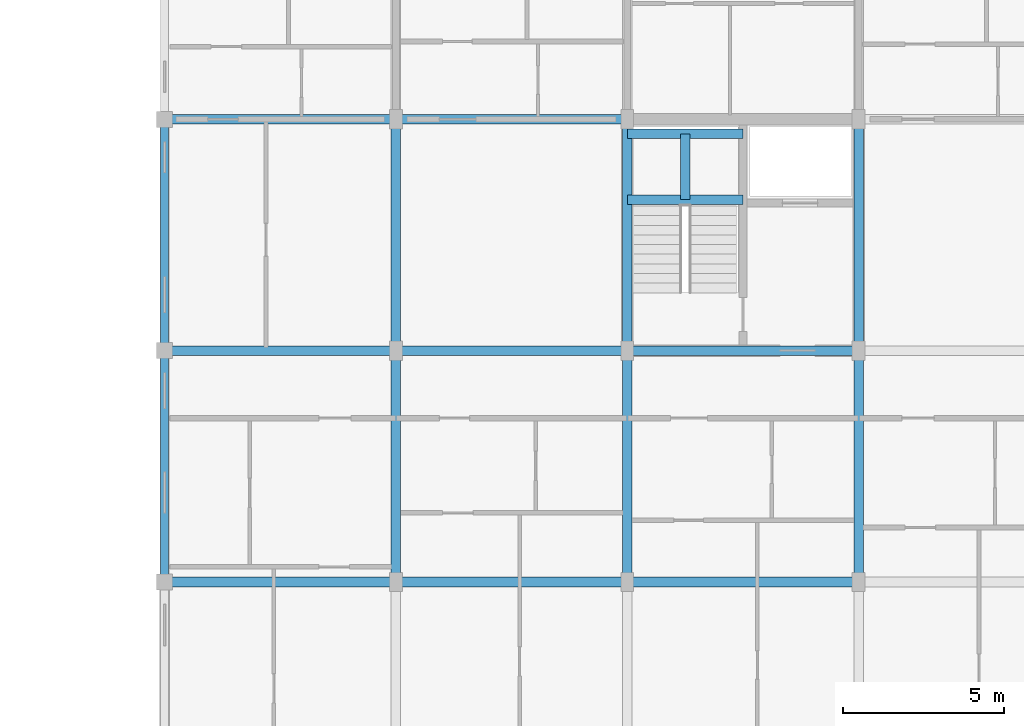
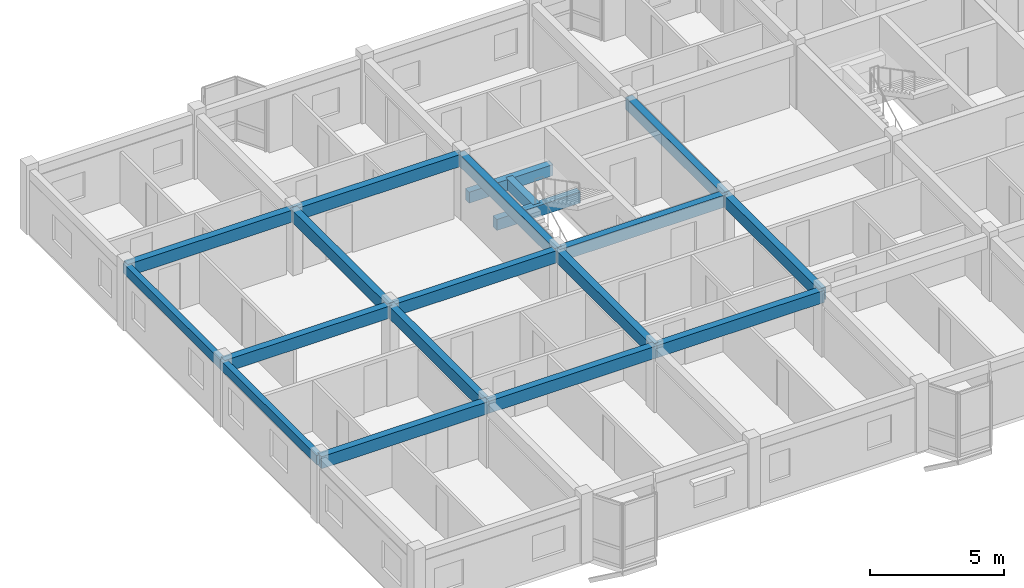
# One storey, part 31 of 65: 19 beams.
"""IFC4 building model written with IfcOpenShell, lengths in metres."""

from ifc_helpers import new_model, si_unit, direction, frame, origin, origin_2d, place, context, subcontext, project, spatial, rectangle, extrude, material, material_profile, profile_set, type_object, element, save


model = new_model("IFC4")

# Units and contexts
model_context = context("Model", 3, precision=1e-05, world=origin(), true_north=direction((0.0, 1.0)))
body_context = subcontext(model_context, "Body", "Model", "MODEL_VIEW")
ifc_project = project(units=[si_unit("LENGTHUNIT", "METRE"), si_unit("AREAUNIT", "SQUARE_METRE"), si_unit("VOLUMEUNIT", "CUBIC_METRE"), si_unit("PLANEANGLEUNIT", "RADIAN"), si_unit("MASSUNIT", "GRAM", prefix="KILO"), si_unit("THERMODYNAMICTEMPERATUREUNIT", "KELVIN"), si_unit("POWERUNIT", "WATT")], contexts=[model_context])

# Site, building, storey
site_placement = place(None, origin())
site = spatial("IfcSite", under=ifc_project, at=site_placement, CompositionType="ELEMENT")
building_placement = place(site_placement, origin())
building = spatial("IfcBuilding", under=site, at=building_placement, Name="Tavuni Mirador Residences", CompositionType="ELEMENT")
storey_placement = place(building_placement, frame((0.0, 0.0, 29.699951171875)))
storey = spatial("IfcBuildingStorey", under=building, at=storey_placement, Name="L09", CompositionType="ELEMENT", Elevation=29.699951171875)

# Beams
ifc_material = material(Name="Precast concrete C40/50", Category="concrete")
ifc_material_profile_1 = material_profile(ifc_material, rectangle(XDim=0.300048828125, YDim=0.5, at=origin_2d()), Name="PC 300x500", Category="concrete")
ifc_profile_set_1 = profile_set([ifc_material_profile_1], Name="Precast concrete C40/50")
beam_type_1 = type_object("IfcBeamType", Name="BT-B500", PredefinedType="BEAM", material=ifc_profile_set_1)
for number, where, z_axis, x_axis, name in (
    (1, (25.199951171875, 163.10009765625, 1.14501953125), (1.0, 0.0, 0.0), (0.0, 1.0, 0.0), "HLB1-C5-L09"),
    (2, (25.199951171875, 165.14990234375, 1.14501953125), (1.0, 0.0, 0.0), (0.0, 1.0, 0.0), "HLB2-C5-L09"),
):
    element("IfcBeam", number, at=place(storey_placement, frame(where, z_axis=z_axis, x_axis=x_axis)), inside=storey, type_object=beam_type_1, Name=name, PredefinedType="BEAM", context=body_context, shape_type="SweptSolid", body=[
        extrude(rectangle(XDim=0.300048828125, YDim=0.5, at=origin_2d()), origin(), (0.0, 0.0, 1.0), 3.60009765625),
    ])
beam_1_placement = place(storey_placement, frame((27.0, 163.10009765625, 1.14501953125), z_axis=(0.0, 1.0, 0.0), x_axis=(-1.0, 0.0, 0.0)))
element("IfcBeam", 3, at=beam_1_placement, inside=storey, type_object=beam_type_1, Name="HLB3-C5-L09", PredefinedType="BEAM", context=body_context, shape_type="SweptSolid", body=[
    extrude(rectangle(XDim=0.300048828125, YDim=0.5, at=origin_2d()), origin(), (0.0, 0.0, 1.0), 2.0498046875),
])
ifc_material_profile_2 = material_profile(ifc_material, rectangle(XDim=0.300048828125, YDim=0.550048828125, at=origin_2d()), Name="PC 300x550", Category="concrete")
ifc_profile_set_2 = profile_set([ifc_material_profile_2], Name="Precast concrete C40/50")
beam_type_2 = type_object("IfcBeamType", Name="BT-B550", PredefinedType="BEAM", material=ifc_profile_set_2)
for number, where, z_axis, x_axis, name in (
    (4, (10.800048828125, 151.199951171875, 2.610107421875), (1.0, 0.0, 0.0), (0.0, 1.0, 0.0), "BMX-BLK-C-L09-00-01"),
    (5, (18.0, 151.199951171875, 2.610107421875), (1.0, 0.0, 0.0), (0.0, 1.0, 0.0), "BMX-BLK-C-L09-01-01"),
    (6, (25.199951171875, 151.199951171875, 2.610107421875), (1.0, 0.0, 0.0), (0.0, 1.0, 0.0), "BMX-BLK-C-L09-02-01"),
    (7, (10.800048828125, 158.39990234375, 2.610107421875), (1.0, 0.0, 0.0), (0.0, 1.0, 0.0), "BMX-BLK-C-L09-00-02"),
    (8, (18.0, 158.39990234375, 2.610107421875), (1.0, 0.0, 0.0), (0.0, 1.0, 0.0), "BMX-BLK-C-L09-01-02"),
    (9, (25.199951171875, 158.39990234375, 2.610107421875), (1.0, 0.0, 0.0), (0.0, 1.0, 0.0), "BMX-BLK-C-L09-02-02"),
    (10, (10.800048828125, 165.60009765625, 2.610107421875), (1.0, 0.0, 0.0), (0.0, 1.0, 0.0), "BMX-BLK-C-L09-00-03"),
    (11, (18.0, 165.60009765625, 2.610107421875), (1.0, 0.0, 0.0), (0.0, 1.0, 0.0), "BMX-BLK-C-L09-01-03"),
    (12, (18.0, 151.199951171875, 2.610107421875), (0.0, 1.0, 0.0), (-1.0, 0.0, 0.0), "BMY-BLK-C-L09-01-01"),
):
    element("IfcBeam", number, at=place(storey_placement, frame(where, z_axis=z_axis, x_axis=x_axis)), inside=storey, type_object=beam_type_2, Name=name, PredefinedType="BEAM", context=body_context, shape_type="SweptSolid", body=[
        extrude(rectangle(XDim=0.300048828125, YDim=0.550048828125, at=origin_2d()), origin(), (0.0, 0.0, 1.0), 7.199951171875),
    ])
beam_2_placement = place(storey_placement, frame((18.0, 158.39990234375, 2.610107421875), z_axis=(0.0, 1.0, 0.0), x_axis=(-1.0, 0.0, 0.0)))
element("IfcBeam", 13, at=beam_2_placement, inside=storey, type_object=beam_type_2, Name="BMY-BLK-C-L09-01-02", PredefinedType="BEAM", context=body_context, shape_type="SweptSolid", body=[
    extrude(rectangle(XDim=0.300048828125, YDim=0.550048828125, at=origin_2d()), origin(), (0.0, 0.0, 1.0), 7.2001953125),
])
beam_3_placement = place(storey_placement, frame((25.199951171875, 151.199951171875, 2.610107421875), z_axis=(0.0, 1.0, 0.0), x_axis=(-1.0, 0.0, 0.0)))
element("IfcBeam", 14, at=beam_3_placement, inside=storey, type_object=beam_type_2, Name="BMY-BLK-C-L09-02-01", PredefinedType="BEAM", context=body_context, shape_type="SweptSolid", body=[
    extrude(rectangle(XDim=0.300048828125, YDim=0.550048828125, at=origin_2d()), origin(), (0.0, 0.0, 1.0), 7.199951171875),
])
beam_4_placement = place(storey_placement, frame((25.199951171875, 158.39990234375, 2.610107421875), z_axis=(0.0, 1.0, 0.0), x_axis=(-1.0, 0.0, 0.0)))
element("IfcBeam", 15, at=beam_4_placement, inside=storey, type_object=beam_type_2, Name="BMY-BLK-C-L09-02-02", PredefinedType="BEAM", context=body_context, shape_type="SweptSolid", body=[
    extrude(rectangle(XDim=0.300048828125, YDim=0.550048828125, at=origin_2d()), origin(), (0.0, 0.0, 1.0), 7.2001953125),
])
beam_5_placement = place(storey_placement, frame((32.39990234375, 151.199951171875, 2.610107421875), z_axis=(0.0, 1.0, 0.0), x_axis=(-1.0, 0.0, 0.0)))
element("IfcBeam", 16, at=beam_5_placement, inside=storey, type_object=beam_type_2, Name="BMY-BLK-C-L09-03-01", PredefinedType="BEAM", context=body_context, shape_type="SweptSolid", body=[
    extrude(rectangle(XDim=0.300048828125, YDim=0.550048828125, at=origin_2d()), origin(), (0.0, 0.0, 1.0), 7.199951171875),
])
beam_6_placement = place(storey_placement, frame((32.39990234375, 158.39990234375, 2.610107421875), z_axis=(0.0, 1.0, 0.0), x_axis=(-1.0, 0.0, 0.0)))
element("IfcBeam", 17, at=beam_6_placement, inside=storey, type_object=beam_type_2, Name="BMY-BLK-C-L09-03-02", PredefinedType="BEAM", context=body_context, shape_type="SweptSolid", body=[
    extrude(rectangle(XDim=0.300048828125, YDim=0.550048828125, at=origin_2d()), origin(), (0.0, 0.0, 1.0), 7.2001953125),
])
ifc_material_profile_3 = material_profile(ifc_material, rectangle(XDim=0.25, YDim=0.419921875, at=origin_2d()), Name="PC 250x420", Category="concrete")
ifc_profile_set_3 = profile_set([ifc_material_profile_3], Name="Precast concrete C40/50")
beam_type_3 = type_object("IfcBeamType", Name="BT-SP420", PredefinedType="SPANDREL", material=ifc_profile_set_3)
beam_7_placement = place(storey_placement, frame((10.800048828125, 151.199951171875, 2.675048828125), z_axis=(0.0, 1.0, 0.0), x_axis=(-1.0, 0.0, 0.0)))
element("IfcBeam", 18, at=beam_7_placement, inside=storey, type_object=beam_type_3, Name="BMY-BLK-C-L09-00-01", PredefinedType="SPANDREL", context=body_context, shape_type="SweptSolid", body=[
    extrude(rectangle(XDim=0.25, YDim=0.419921875, at=origin_2d()), origin(), (0.0, 0.0, 1.0), 7.199951171875),
])
beam_8_placement = place(storey_placement, frame((10.800048828125, 158.39990234375, 2.675048828125), z_axis=(0.0, 1.0, 0.0), x_axis=(-1.0, 0.0, 0.0)))
element("IfcBeam", 19, at=beam_8_placement, inside=storey, type_object=beam_type_3, Name="BMY-BLK-C-L09-00-02", PredefinedType="SPANDREL", context=body_context, shape_type="SweptSolid", body=[
    extrude(rectangle(XDim=0.25, YDim=0.419921875, at=origin_2d()), origin(), (0.0, 0.0, 1.0), 7.2001953125),
])

save(model, "model.ifc")
